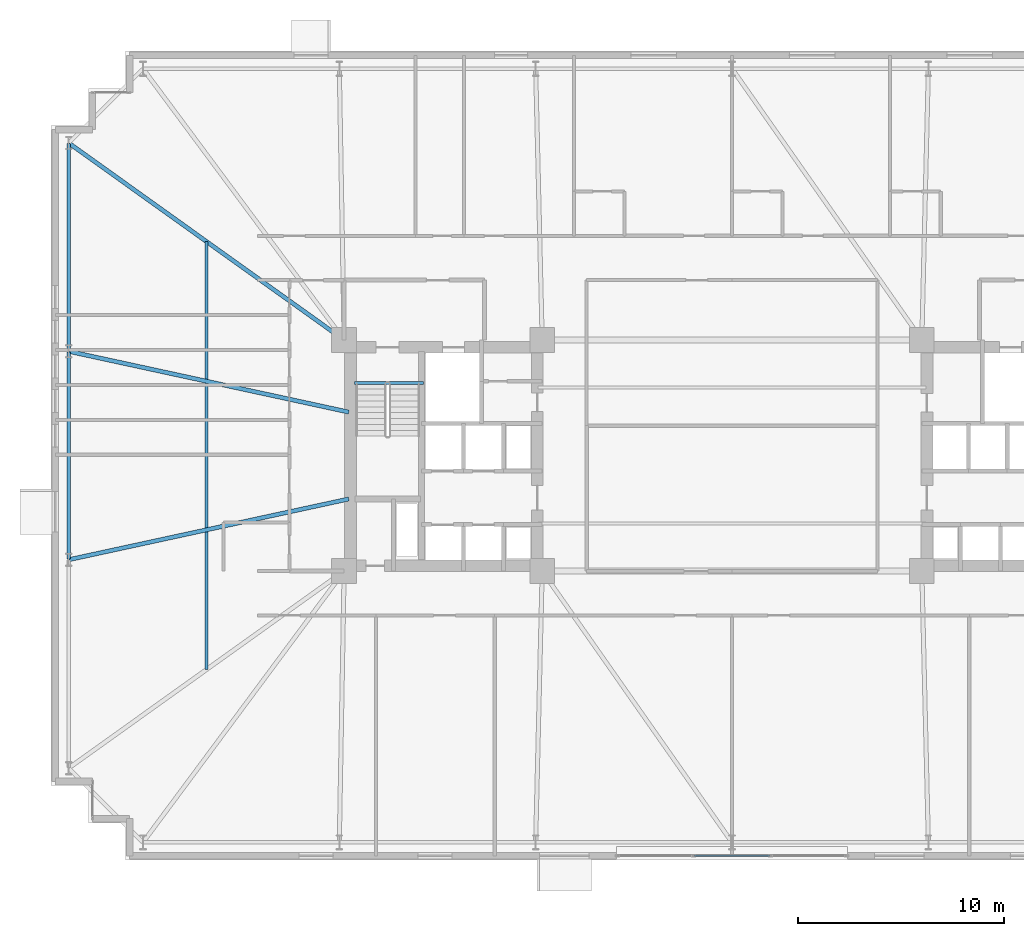
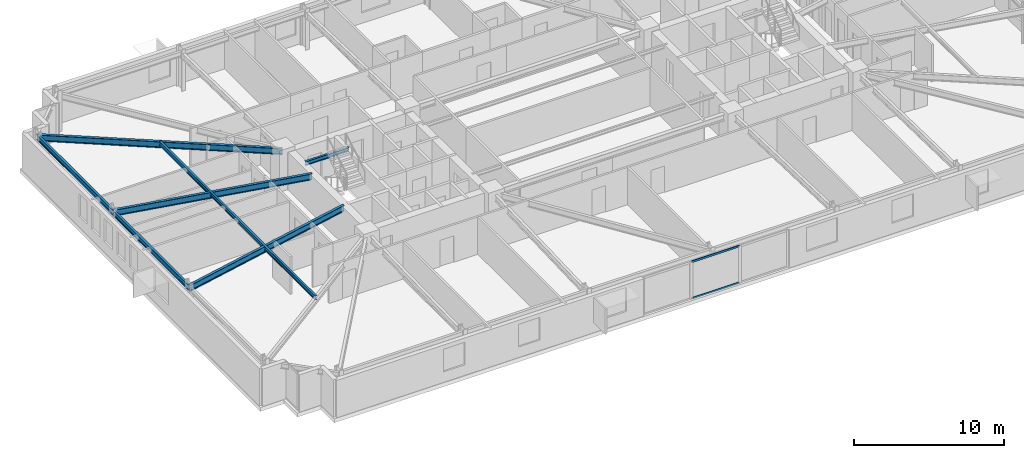
# One storey, part 7 of 24: 7 beams, 2 members, 1 element without a shape of its own.
"""IFC4 building model written with IfcOpenShell, lengths in metres."""

import ifcopenshell
import ifcopenshell.guid

model = None  # the IFC model being written
_history = None  # IfcOwnerHistory: only IFC2X3 demands one
_inside = {}  # id of a spatial element -> (the spatial element, [elements in it])
_under = {}  # id of a project, library or spatial element -> (it, [spatial elements below it])
_declared = {}  # id of a project -> (the project, [libraries it declares])
_typed = {}  # id of a type object -> (the type object, [elements of that type])
_made_of = {}  # id of a material, layer set ... -> (it, [elements and type objects made of it])


def new_model(schema):
    """Start an empty IFC model of exactly this schema.

    Asked for "IFC4X3", IfcOpenShell would pick the latest addendum, in which some entities
    have other attributes; the version numbers below select the first issue.
    IFC2X3 requires an IfcOwnerHistory on every rooted entity: one is made here for all.
    """
    global model, _history
    if schema == "IFC4X3":
        model = ifcopenshell.file(schema_version=(4, 3, 0, 0))
    else:
        model = ifcopenshell.file(schema=schema)
    _inside.clear()
    _under.clear()
    _declared.clear()
    _typed.clear()
    _made_of.clear()
    _history = None
    if model.schema == "IFC2X3":
        org = make("IfcOrganization", Name="unknown")
        user = make(
            "IfcPersonAndOrganization",
            ThePerson=make("IfcPerson", FamilyName="unknown"),
            TheOrganization=org,
        )
        app = make(
            "IfcApplication",
            ApplicationDeveloper=org,
            Version="unknown",
            ApplicationFullName="unknown",
            ApplicationIdentifier="unknown",
        )
        _history = make(
            "IfcOwnerHistory",
            OwningUser=user,
            OwningApplication=app,
            ChangeAction="ADDED",
            CreationDate=0,
        )
    return model


def make(cls, **values):
    """One entity of the class cls with the attributes given. An attribute that is None is left unset."""
    return model.create_entity(
        cls, **{name: value for name, value in values.items() if value is not None}
    )


def rooted(cls, **values):
    """An entity with a GlobalId (a new one), such as an element, a storey or a relation."""
    return make(cls, GlobalId=ifcopenshell.guid.new(), OwnerHistory=_history, **values)


def si_unit(unit_type, name, prefix=None):
    """IfcSIUnit, for example si_unit("LENGTHUNIT", "METRE", prefix="MILLI")."""
    return make("IfcSIUnit", UnitType=unit_type, Prefix=prefix, Name=name)


def assignment(units):
    """IfcUnitAssignment: the units of a project."""
    return None if units is None else make("IfcUnitAssignment", Units=units)


def point(xyz):
    """IfcCartesianPoint."""
    return None if xyz is None else make("IfcCartesianPoint", Coordinates=xyz)


def direction(xyz):
    """IfcDirection."""
    return None if xyz is None else make("IfcDirection", DirectionRatios=xyz)


def frame(location, z_axis=None, x_axis=None):
    """IfcAxis2Placement3D, a coordinate frame: its origin and axes. An axis left out is left unset."""
    return make(
        "IfcAxis2Placement3D",
        Location=point(location),
        Axis=direction(z_axis),
        RefDirection=direction(x_axis),
    )


def frame_2d(location, x_axis=None):
    """IfcAxis2Placement2D, a coordinate frame in the plane: its origin and x axis."""
    return make(
        "IfcAxis2Placement2D", Location=point(location), RefDirection=direction(x_axis)
    )


def origin():
    """The frame at (0, 0, 0) with its axes left unset."""
    return frame((0.0, 0.0, 0.0))


def origin_2d():
    """The frame at (0, 0) in the plane with its x axis left unset."""
    return frame_2d((0.0, 0.0))


def place(relative_to, where):
    """IfcLocalPlacement: puts the frame where relative to a parent placement (None: the world)."""
    return make(
        "IfcLocalPlacement", PlacementRelTo=relative_to, RelativePlacement=where
    )


def context(
    kind, dimensions, precision=None, world=None, true_north=None, identifier=None
):
    """IfcGeometricRepresentationContext, for example the 3D "Model" context."""
    return make(
        "IfcGeometricRepresentationContext",
        ContextIdentifier=identifier,
        ContextType=kind,
        CoordinateSpaceDimension=dimensions,
        Precision=precision,
        WorldCoordinateSystem=world,
        TrueNorth=true_north,
    )


def subcontext(parent, identifier, kind, view, scale=None):
    """IfcGeometricRepresentationSubContext, for example "Body" below "Model"."""
    return make(
        "IfcGeometricRepresentationSubContext",
        ContextIdentifier=identifier,
        ContextType=kind,
        ParentContext=parent,
        TargetScale=scale,
        TargetView=view,
    )


def project(units=None, contexts=None):
    """IfcProject with its units and contexts."""
    return rooted(
        "IfcProject",
        Name="project",
        RepresentationContexts=contexts,
        UnitsInContext=assignment(units),
    )


def spatial(cls, under=None, at=None, **own):
    """A site, building, storey or space (cls), placed at a placement, below another one or the project."""
    s = rooted(cls, ObjectPlacement=at, **own)
    if under is not None:
        _under.setdefault(under.id(), (under, []))[1].append(s)
    return s


def profile(cls, at=None, kind="AREA", **sizes):
    """A parametric profile (cls). Its sizes go by their IFC names, for example OverallWidth=200.0."""
    return make(cls, ProfileType=kind, Position=at, **sizes)


def hollow_rectangle(**sizes):
    """IfcRectangleHollowProfileDef."""
    return profile("IfcRectangleHollowProfileDef", **sizes)


def i_section(**sizes):
    """IfcIShapeProfileDef."""
    return profile("IfcIShapeProfileDef", **sizes)


def extrude(swept, where, along, depth):
    """IfcExtrudedAreaSolid: the profile swept, set in the frame where, extruded along a direction by depth."""
    return make(
        "IfcExtrudedAreaSolid",
        SweptArea=swept,
        Position=where,
        ExtrudedDirection=direction(along),
        Depth=depth,
    )


def shape(context_of_items, identifier, shape_type, items):
    """IfcShapeRepresentation: the items that make up one representation, for example the "Body"."""
    return make(
        "IfcShapeRepresentation",
        ContextOfItems=context_of_items,
        RepresentationIdentifier=identifier,
        RepresentationType=shape_type,
        Items=items,
    )


def material(Name=None, Category=None):
    """IfcMaterial."""
    return make("IfcMaterial", Name=Name, Category=Category)


def layer(
    of_material, thickness, ventilated=None, Name=None, Category=None, Priority=None
):
    """IfcMaterialLayer: one layer of a wall or slab, of a material (None: an air gap)."""
    return make(
        "IfcMaterialLayer",
        Material=of_material,
        LayerThickness=thickness,
        IsVentilated=ventilated,
        Name=Name,
        Category=Category,
        Priority=Priority,
    )


def layer_set(layers, Name=None):
    """IfcMaterialLayerSet."""
    return make("IfcMaterialLayerSet", MaterialLayers=layers, LayerSetName=Name)


def material_profile(
    of_material, cross_section, Name=None, Category=None, Priority=None
):
    """IfcMaterialProfile: a cross section and its material."""
    return make(
        "IfcMaterialProfile",
        Name=Name,
        Material=of_material,
        Profile=cross_section,
        Priority=Priority,
        Category=Category,
    )


def profile_set(profiles, Name=None, composite=None):
    """IfcMaterialProfileSet."""
    return make(
        "IfcMaterialProfileSet",
        Name=Name,
        MaterialProfiles=profiles,
        CompositeProfile=composite,
    )


def made_of(thing, what):
    """Note that an element or type object is made of a material, layer set ...; save() writes the relation."""
    if what is not None:
        _made_of.setdefault(what.id(), (what, []))[1].append(thing)
    return thing


def type_object(cls, material=None, **own):
    """A type object (cls), such as IfcWallType, which elements share."""
    return made_of(rooted(cls, **own), material)


def element(
    cls,
    number,
    at=None,
    inside=None,
    cuts=None,
    type_object=None,
    material=None,
    context=None,
    identifier="Body",
    shape_type=None,
    held_by="IfcProductDefinitionShape",
    body=None,
    shapes=None,
    **own,
):
    """One element of the class cls, such as IfcWall. Its Tag is "e" and its number.

    at: its placement. inside: the storey or other place that contains it. cuts: it is an
    opening in that element (IfcRelVoidsElement). A single representation is given by context,
    identifier, shape_type and body (its items); several are given by shapes. held_by: the class
    of the entity that holds the representations. save() writes the other relations.
    """
    e = rooted(cls, Tag="e%d" % number, ObjectPlacement=at, **own)
    if body is not None:
        shapes = [shape(context, identifier, shape_type, body)]
    if shapes is not None:
        e.Representation = make(held_by, Representations=shapes)
    if inside is not None:
        _inside.setdefault(inside.id(), (inside, []))[1].append(e)
    if cuts is not None:
        rooted(
            "IfcRelVoidsElement", RelatingBuildingElement=cuts, RelatedOpeningElement=e
        )
    if type_object is not None:
        _typed.setdefault(type_object.id(), (type_object, []))[1].append(e)
    return made_of(e, material)


def aggregate(whole, parts):
    """IfcRelAggregates: a whole, such as a stair, and the parts it consists of."""
    return rooted("IfcRelAggregates", RelatingObject=whole, RelatedObjects=parts)


def save(model, path):
    """Write the relations noted so far, then the file.

    IfcRelAggregates (storeys below a building ...), IfcRelContainedInSpatialStructure (elements
    in a storey), IfcRelDefinesByType, IfcRelAssociatesMaterial and IfcRelDeclares: one each for
    every whole, place, type object, material and project.
    """
    for whole, parts in _under.values():
        aggregate(whole, parts)
    for where, things in _inside.values():
        rooted(
            "IfcRelContainedInSpatialStructure",
            RelatedElements=things,
            RelatingStructure=where,
        )
    for kind, things in _typed.values():
        rooted("IfcRelDefinesByType", RelatedObjects=things, RelatingType=kind)
    for what, things in _made_of.values():
        rooted("IfcRelAssociatesMaterial", RelatedObjects=things, RelatingMaterial=what)
    for by, libraries in _declared.values():
        rooted("IfcRelDeclares", RelatingContext=by, RelatedDefinitions=libraries)
    model.write(path)


model = new_model("IFC4")

# Units and contexts
model_context = context("Model", 3, precision=1e-05, world=origin(), true_north=direction((0.0, 1.0)))
body_context = subcontext(model_context, "Body", "Model", "MODEL_VIEW")
ifc_project = project(units=[si_unit("LENGTHUNIT", "METRE"), si_unit("AREAUNIT", "SQUARE_METRE"), si_unit("VOLUMEUNIT", "CUBIC_METRE"), si_unit("PLANEANGLEUNIT", "RADIAN"), si_unit("MASSUNIT", "GRAM", prefix="KILO")], contexts=[model_context])

# Site, building, storey
site_placement = place(None, origin())
site = spatial("IfcSite", under=ifc_project, at=site_placement, CompositionType="ELEMENT")
building_placement = place(site_placement, origin())
building = spatial("IfcBuilding", under=site, at=building_placement, Name="Qobustan Lattice House", CompositionType="ELEMENT")
storey_placement = place(building_placement, frame((0.0, 0.0, 43.75)))
storey = spatial("IfcBuildingStorey", under=building, at=storey_placement, Name="L11", CompositionType="ELEMENT", Elevation=43.75)

# Beams
ifc_material_1 = material(Name="Steel S355", Category="steel")
ifc_material_profile_1 = material_profile(ifc_material_1, i_section(OverallWidth=0.199951171875, OverallDepth=0.5, WebThickness=0.01025390625, FlangeThickness=0.01611328125, FilletRadius=0.02099609375, at=origin_2d()), Name="IPE500")
ifc_profile_set_1 = profile_set([ifc_material_profile_1], Name="Steel S355")
beam_type_1 = type_object("IfcBeamType", Name="BM-FLG-IPE500", PredefinedType="USERDEFINED", material=ifc_profile_set_1)
beam_1_placement = place(storey_placement, frame((-32.129638671875, 15.135498046875, 2.784912109375), z_axis=(0.813318954893, -0.581818079481, 0.0), x_axis=(0.581818079481, 0.813318954893, 0.0)))
element("IfcBeam", 1, at=beam_1_placement, inside=storey, type_object=beam_type_1, Name="L11 primary floor girder RAD-W1", ObjectType="GIRDER", PredefinedType="USERDEFINED", context=body_context, shape_type="SweptSolid", body=[
    extrude(i_section(OverallWidth=0.199951171875, OverallDepth=0.5, WebThickness=0.01025390625, FlangeThickness=0.01611328125, FilletRadius=0.02099609375, at=origin_2d()), origin(), (0.0, 0.0, 1.0), 16.3642578125),
])
for number, where, z_axis, x_axis, name in (
    (2, (-32.12548828125, 5.044677734375, 2.784912109375), (0.97727240275, -0.211987383643, 0.0), (0.211987383643, 0.97727240275, 0.0), "L11 primary floor girder RAD-W2"),
    (3, (-32.12548828125, -5.044677734375, 2.784912109375), (0.97727240275, 0.211987383643, 0.0), (-0.211987383643, 0.97727240275, 0.0), "L11 primary floor girder RAD-W3"),
):
    element("IfcBeam", number, at=place(storey_placement, frame(where, z_axis=z_axis, x_axis=x_axis)), inside=storey, type_object=beam_type_1, Name=name, ObjectType="GIRDER", PredefinedType="USERDEFINED", context=body_context, shape_type="SweptSolid", body=[
        extrude(i_section(OverallWidth=0.199951171875, OverallDepth=0.5, WebThickness=0.01025390625, FlangeThickness=0.01611328125, FilletRadius=0.02099609375, at=origin_2d()), origin(), (0.0, 0.0, 1.0), 13.8662109375),
    ])
ifc_material_2 = material(Name="Steel S355", Category="steel")
ifc_material_profile_2 = material_profile(ifc_material_2, i_section(OverallWidth=0.159912109375, OverallDepth=0.330078125, WebThickness=0.007568359375, FlangeThickness=0.011474609375, FilletRadius=0.01806640625, at=origin_2d()), Name="IPE330")
ifc_profile_set_2 = profile_set([ifc_material_profile_2], Name="Steel S355")
beam_type_2 = type_object("IfcBeamType", Name="BM-SEC-IPE330", PredefinedType="BEAM", material=ifc_profile_set_2)
beam_2_placement = place(storey_placement, frame((-25.47509765625, 10.375, 2.8701171875), z_axis=(0.0, -1.0, 0.0), x_axis=(1.0, 0.0, 0.0)))
element("IfcBeam", 4, at=beam_2_placement, inside=storey, type_object=beam_type_2, Name="L11 west wing secondary beam", PredefinedType="BEAM", context=body_context, shape_type="SweptSolid", body=[
    extrude(i_section(OverallWidth=0.159912109375, OverallDepth=0.330078125, WebThickness=0.007568359375, FlangeThickness=0.011474609375, FilletRadius=0.01806640625, at=origin_2d()), origin(), (0.0, 0.0, 1.0), 20.75),
])
ifc_material_3 = material(Name="Steel S355", Category="steel")
ifc_material_profile_3 = material_profile(ifc_material_3, i_section(OverallWidth=0.159912109375, OverallDepth=0.330078125, WebThickness=0.007568359375, FlangeThickness=0.011474609375, FilletRadius=0.01806640625, at=origin_2d()), Name="IPE330")
ifc_profile_set_3 = profile_set([ifc_material_profile_3], Name="Steel S355")
beam_type_3 = type_object("IfcBeamType", Name="BM-SPD-IPE330", PredefinedType="SPANDREL", material=ifc_profile_set_3)
beam_3_placement = place(storey_placement, frame((-18.300048828125, 3.52001953125, 2.8701171875), z_axis=(1.0, 0.0, 0.0), x_axis=(0.0, 1.0, 0.0)))
element("IfcBeam", 5, at=beam_3_placement, inside=storey, type_object=beam_type_3, Name="L11 west stair landing trimmer beam", PredefinedType="SPANDREL", context=body_context, shape_type="SweptSolid", body=[
    extrude(i_section(OverallWidth=0.159912109375, OverallDepth=0.330078125, WebThickness=0.007568359375, FlangeThickness=0.011474609375, FilletRadius=0.01806640625, at=origin_2d()), origin(), (0.0, 0.0, 1.0), 3.35009765625),
])
ifc_material_4 = material(Name="Steel S355", Category="steel")
ifc_material_profile_4 = material_profile(ifc_material_4, i_section(OverallWidth=0.179931640625, OverallDepth=0.39990234375, WebThickness=0.008544921875, FlangeThickness=0.013427734375, FilletRadius=0.02099609375, at=origin_2d()), Name="IPE400")
ifc_profile_set_4 = profile_set([ifc_material_profile_4], Name="Steel S355")
beam_type_4 = type_object("IfcBeamType", Name="BM-SPD-IPE400", PredefinedType="SPANDREL", material=ifc_profile_set_4)
beam_4_placement = place(storey_placement, frame((-32.14990234375, 15.125, 2.8349609375), z_axis=(0.0, -1.0, 0.0), x_axis=(1.0, 0.0, 0.0)))
element("IfcBeam", 6, at=beam_4_placement, inside=storey, type_object=beam_type_4, Name="L11 perimeter spandrel W1-W2", PredefinedType="SPANDREL", context=body_context, shape_type="SweptSolid", body=[
    extrude(i_section(OverallWidth=0.179931640625, OverallDepth=0.39990234375, WebThickness=0.008544921875, FlangeThickness=0.013427734375, FilletRadius=0.02099609375, at=origin_2d()), origin(), (0.0, 0.0, 1.0), 10.050048828125),
])
beam_5_placement = place(storey_placement, frame((-32.14990234375, 5.02490234375, 2.8349609375), z_axis=(0.0, -1.0, 0.0), x_axis=(1.0, 0.0, 0.0)))
element("IfcBeam", 7, at=beam_5_placement, inside=storey, type_object=beam_type_4, Name="L11 perimeter spandrel W2-W3", PredefinedType="SPANDREL", context=body_context, shape_type="SweptSolid", body=[
    extrude(i_section(OverallWidth=0.179931640625, OverallDepth=0.39990234375, WebThickness=0.008544921875, FlangeThickness=0.013427734375, FilletRadius=0.02099609375, at=origin_2d()), origin(), (0.0, 0.0, 1.0), 10.0498046875),
])

# Curtain wall, members
ifc_material_5 = material(Name="Anodised aluminium and low-E glazing", Category="aluminium")
ifc_layer = layer(ifc_material_5, 0.219970703125)
ifc_layer_set = layer_set([ifc_layer], Name="Anodised aluminium and low-E glazing")
curtain_wall_type = type_object("IfcCurtainWallType", Name="CW-IWN-01", PredefinedType="USERDEFINED", material=ifc_layer_set)
curtain_wall_placement = place(storey_placement, origin())
curtain_wall = element("IfcCurtainWall", 8, at=curtain_wall_placement, inside=storey, type_object=curtain_wall_type, Name="L11 IWAN-1 walnut-lined iwan curtain wall", ObjectType="CURTAIN WALL", PredefinedType="USERDEFINED")
ifc_material_6 = material(Name="Anodised aluminium EN AW-6063 T6", Category="aluminium")
ifc_material_profile_5 = material_profile(ifc_material_6, hollow_rectangle(XDim=0.06494140625, YDim=0.159912109375, WallThickness=0.00390625, at=origin_2d()), Name="CWT-160x65")
ifc_profile_set_5 = profile_set([ifc_material_profile_5], Name="Anodised aluminium EN AW-6063 T6")
member_type = type_object("IfcMemberType", Name="CWT-HOR-160", PredefinedType="USERDEFINED", material=ifc_profile_set_5)
member_1_placement = place(storey_placement, frame((1.82666015625, -19.39990234375, 0.032470703125), z_axis=(-1.0, 0.0, 0.0), x_axis=(0.0, -1.0, 0.0)))
member_1 = element("IfcMember", 9, at=member_1_placement, type_object=member_type, Name="CW-IW transom 2.1", ObjectType="TRANSOM", PredefinedType="USERDEFINED", context=body_context, shape_type="SweptSolid", body=[
    extrude(hollow_rectangle(XDim=0.06494140625, YDim=0.159912109375, WallThickness=0.00390625, at=origin_2d()), origin(), (0.0, 0.0, 1.0), 3.6533203125),
])
member_2_placement = place(storey_placement, frame((1.82666015625, -19.39990234375, 3.00244140625), z_axis=(-1.0, 0.0, 0.0), x_axis=(0.0, -1.0, 0.0)))
member_2 = element("IfcMember", 10, at=member_2_placement, type_object=member_type, Name="CW-IW transom 2.2", ObjectType="TRANSOM", PredefinedType="USERDEFINED", context=body_context, shape_type="SweptSolid", body=[
    extrude(hollow_rectangle(XDim=0.06494140625, YDim=0.159912109375, WallThickness=0.00390625, at=origin_2d()), origin(), (0.0, 0.0, 1.0), 3.6533203125),
])
aggregate(curtain_wall, [member_1, member_2])

save(model, "model.ifc")
